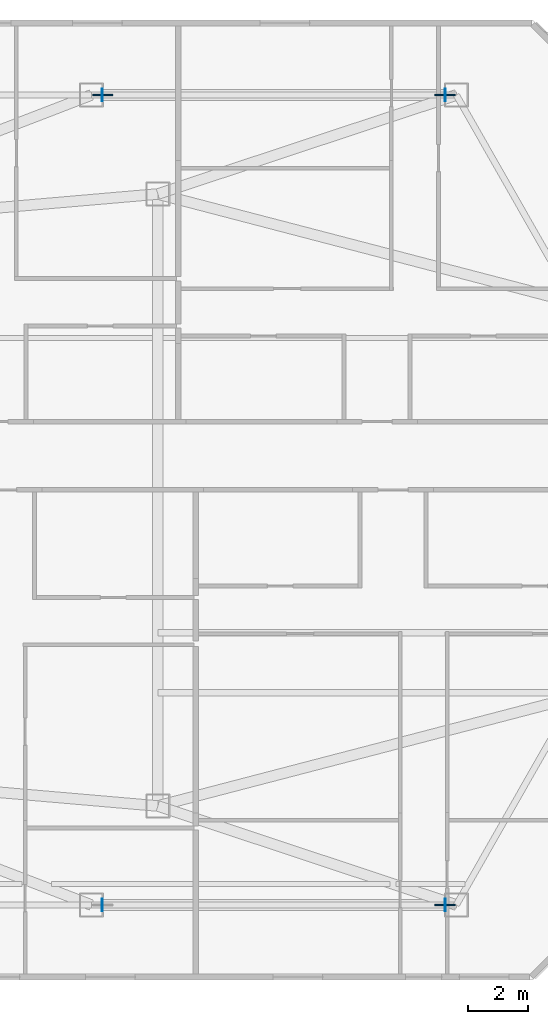
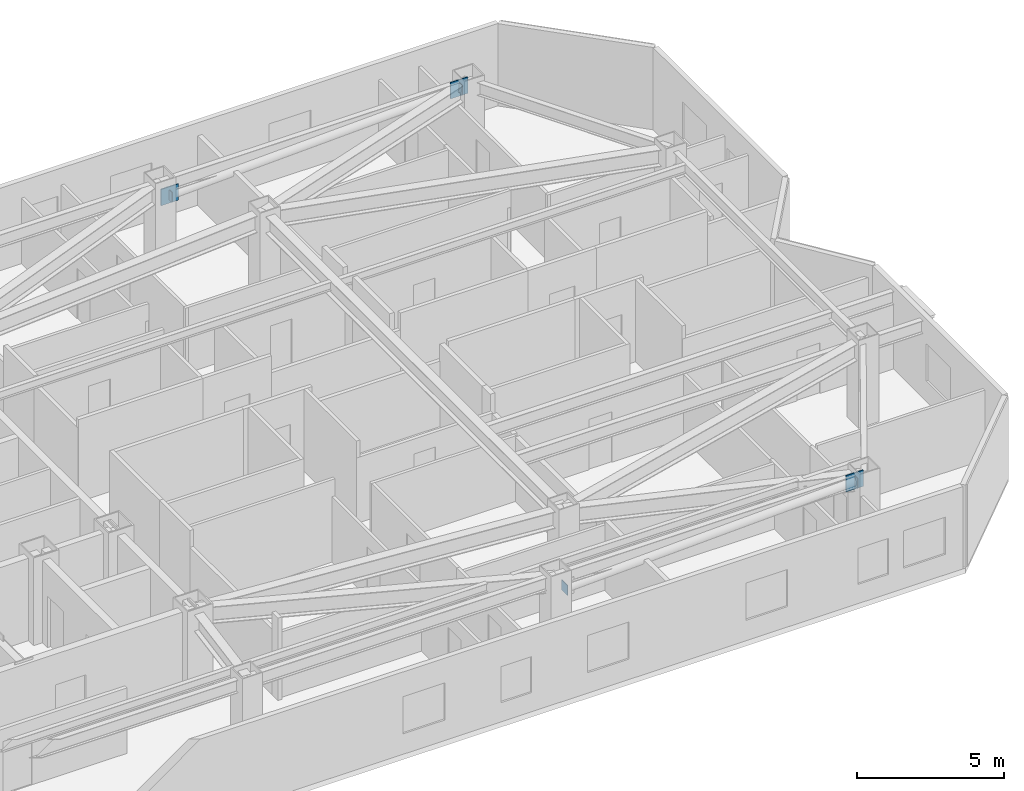
# One storey, part 3 of 10: 7 plates.
"""IFC4 building model written with IfcOpenShell, lengths in metres."""

from ifc_helpers import new_model, si_unit, direction, frame, origin, origin_2d, place, context, subcontext, project, spatial, rectangle, extrude, material, layer, layer_set, type_object, element, save


model = new_model("IFC4")

# Units and contexts
model_context = context("Model", 3, precision=1e-05, world=origin(), true_north=direction((0.0, 1.0)))
body_context = subcontext(model_context, "Body", "Model", "MODEL_VIEW")
ifc_project = project(units=[si_unit("LENGTHUNIT", "METRE"), si_unit("AREAUNIT", "SQUARE_METRE"), si_unit("VOLUMEUNIT", "CUBIC_METRE"), si_unit("PLANEANGLEUNIT", "RADIAN"), si_unit("MASSUNIT", "GRAM", prefix="KILO")], contexts=[model_context])

# Site, building, storey
site_placement = place(None, origin())
site = spatial("IfcSite", under=ifc_project, at=site_placement, CompositionType="ELEMENT")
building_placement = place(site_placement, origin())
building = spatial("IfcBuilding", under=site, at=building_placement, Name="Khamvora Tower", CompositionType="ELEMENT")
storey_placement = place(building_placement, frame((0.0, 0.0, 257.35009765625)))
storey = spatial("IfcBuildingStorey", under=building, at=storey_placement, Name="L66", CompositionType="ELEMENT", Elevation=257.35009765625)

# Plates
ifc_material_1 = material(Name="Steel S355", Category="steel")
ifc_layer_1 = layer(ifc_material_1, 0.02490234375)
ifc_layer_set_1 = layer_set([ifc_layer_1], Name="Steel S355")
plate_type_1 = type_object("IfcPlateType", Name="PL-CAP-25", PredefinedType="SHEET", material=ifc_layer_set_1)
for number, where, z_axis, x_axis, name in (
    (1, (51.450927734375, 14.5, 2.48681640625), (0.0, 0.0, 1.0), (1.0, 0.0, 0.0), "L66 hollow section steel end cap plate 1174"),
    (2, (62.882080078125, 14.5, 2.93994140625), (0.0, 0.0, 1.0), (1.0, 0.0, 0.0), "L66 hollow section steel end cap plate 1175"),
    (3, (51.450927734375, 41.5, 2.48681640625), (0.0, 0.0, 1.0), (1.0, 0.0, 0.0), "L66 hollow section steel end cap plate 1176"),
    (4, (62.882080078125, 41.5, 2.93994140625), (0.0, 0.0, 1.0), (1.0, 0.0, 0.0), "L66 hollow section steel end cap plate 1177"),
):
    element("IfcPlate", number, at=place(storey_placement, frame(where, z_axis=z_axis, x_axis=x_axis)), inside=storey, type_object=plate_type_1, Name=name, PredefinedType="SHEET", context=body_context, shape_type="SweptSolid", body=[
        extrude(rectangle(XDim=0.02490234375, YDim=0.416015625, at=origin_2d()), origin(), (0.0, 0.0, 1.0), 0.416015625),
    ])
ifc_material_2 = material(Name="Steel S460", Category="steel")
ifc_layer_2 = layer(ifc_material_2, 0.0400390625)
ifc_layer_set_2 = layer_set([ifc_layer_2], Name="Steel S460")
plate_type_2 = type_object("IfcPlateType", Name="PLT-GUS-40", PredefinedType="SHEET", material=ifc_layer_set_2)
for number, where, z_axis, x_axis, name in (
    (5, (62.8701171875, 14.5, 2.80810546875), (0.0, 0.0, 1.0), (1.0, 0.0, 0.0), "L66 brace connection node gusset plate 0418"),
    (6, (51.462890625, 41.5, 2.35498046875), (0.0, 0.0, 1.0), (1.0, 0.0, 0.0), "L66 brace connection node gusset plate 0419"),
    (7, (62.8701171875, 41.5, 2.80810546875), (0.0, 0.0, 1.0), (1.0, 0.0, 0.0), "L66 brace connection node gusset plate 0420"),
):
    element("IfcPlate", number, at=place(storey_placement, frame(where, z_axis=z_axis, x_axis=x_axis)), inside=storey, type_object=plate_type_2, Name=name, PredefinedType="SHEET", context=body_context, shape_type="SweptSolid", body=[
        extrude(rectangle(XDim=0.679931640625, YDim=0.0400390625, at=origin_2d()), origin(), (0.0, 0.0, 1.0), 0.679931640625),
    ])

save(model, "model.ifc")
